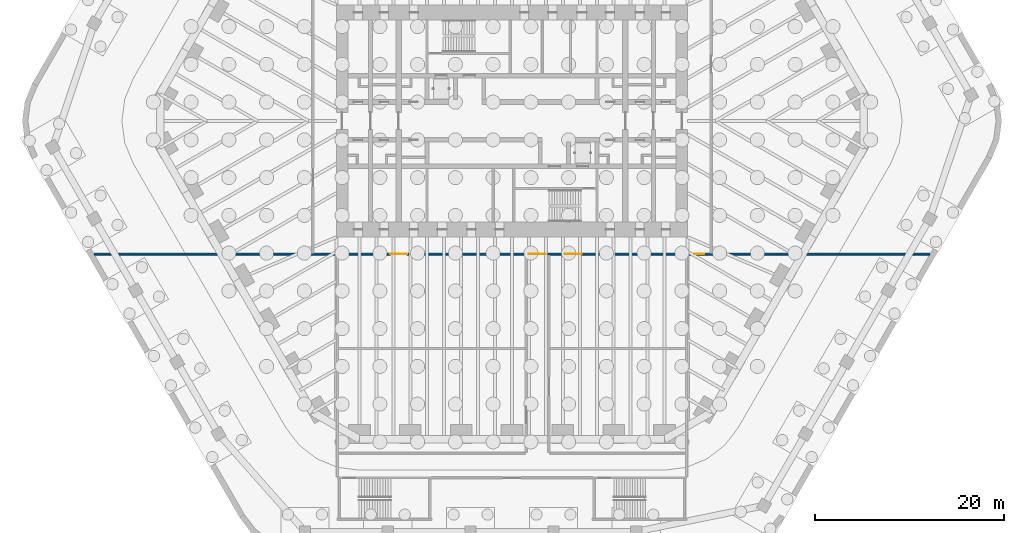
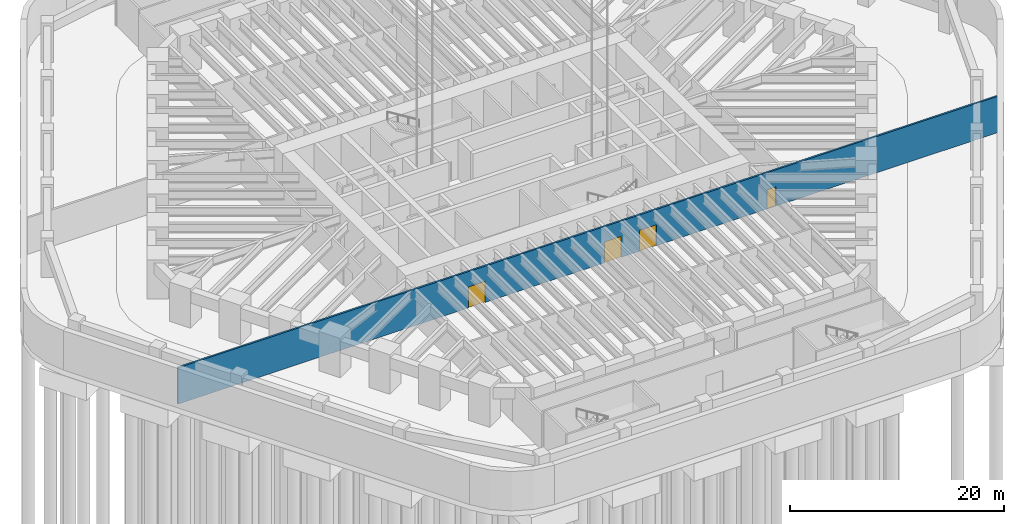
# One storey, part 7 of 17: 4 doors, 1 wall, 4 openings.
"""IFC4 building model written with IfcOpenShell, lengths in metres."""

from ifc_helpers import new_model, si_unit, direction, frame, frame_2d, origin, place, context, subcontext, project, spatial, rectangle, extrude, material, layer, layer_set, type_object, element, fill, save


model = new_model("IFC4")

# Units and contexts
model_context = context("Model", 3, precision=1e-05, world=origin(), true_north=direction((0.0, 1.0)))
body_context = subcontext(model_context, "Body", "Model", "MODEL_VIEW")
ifc_project = project(units=[si_unit("LENGTHUNIT", "METRE"), si_unit("AREAUNIT", "SQUARE_METRE"), si_unit("VOLUMEUNIT", "CUBIC_METRE"), si_unit("PLANEANGLEUNIT", "RADIAN"), si_unit("MASSUNIT", "GRAM", prefix="KILO")], contexts=[model_context])

# Site, building, storey
site_placement = place(None, origin())
site = spatial("IfcSite", under=ifc_project, at=site_placement, CompositionType="ELEMENT")
building_placement = place(site_placement, origin())
building = spatial("IfcBuilding", under=site, at=building_placement, Name="Tarfa Lantern Tower", CompositionType="ELEMENT")
storey_placement = place(building_placement, frame((0.0, 0.0, -9.0)))
storey = spatial("IfcBuildingStorey", under=building, at=storey_placement, Name="B2", CompositionType="ELEMENT", Elevation=-9.0)

# Wall, openings, doors
ifc_material_1 = material(Name="Concrete blockwork", Category="masonry")
ifc_layer = layer(ifc_material_1, 0.199951171875)
ifc_layer_set = layer_set([ifc_layer], Name="IW1 BLOCKWORK PARTITION 200 EI 120")
wall_type = type_object("IfcWallType", Name="IW1 BLOCKWORK PARTITION 200 EI 120", PredefinedType="PARTITIONING", material=ifc_layer_set)
wall_placement = place(storey_placement, frame((-44.28271484375, -14.10009765625, 0.0), z_axis=(0.0, 0.0, 1.0), x_axis=(1.0, 0.0, 0.0)))
wall = element("IfcWall", 1, at=wall_placement, inside=storey, type_object=wall_type, Name="Fire-rated partition", PredefinedType="PARTITIONING", context=body_context, shape_type="SweptSolid", body=[
    extrude(rectangle(XDim=88.5654296875, YDim=0.199951171875, at=frame_2d((44.28271484375, 0.0))), origin(), (0.0, 0.0, 1.0), 4.14990234375),
])
opening_1_placement = place(wall_placement, frame((31.3828125, 0.0, 0.0)))
opening_1 = element("IfcOpeningElement", 2, at=opening_1_placement, cuts=wall, Name="Opening D58", PredefinedType="OPENING", context=body_context, shape_type="SweptSolid", body=[
    extrude(rectangle(XDim=1.800048828125, YDim=2.39990234375, at=frame_2d((0.89990234375, 1.199951171875))), frame((0.0, 0.10986328125, 0.0), z_axis=(0.0, -1.0, 0.0), x_axis=(1.0, 0.0, 0.0)), (0.0, 0.0, 1.0), 0.219970703125),
])
opening_2_placement = place(wall_placement, frame((49.8828125, 0.0, 0.0)))
opening_2 = element("IfcOpeningElement", 3, at=opening_2_placement, cuts=wall, Name="Opening D56", PredefinedType="OPENING", context=body_context, shape_type="SweptSolid", body=[
    extrude(rectangle(XDim=1.800048828125, YDim=2.39990234375, at=frame_2d((0.89990234375, 1.199951171875))), frame((0.0, 0.10986328125, 0.0), z_axis=(0.0, -1.0, 0.0), x_axis=(1.0, 0.0, 0.0)), (0.0, 0.0, 1.0), 0.219970703125),
])
opening_3_placement = place(wall_placement, frame((46.082763671875, 0.0, 0.0)))
opening_3 = element("IfcOpeningElement", 4, at=opening_3_placement, cuts=wall, Name="Opening D60", PredefinedType="OPENING", context=body_context, shape_type="SweptSolid", body=[
    extrude(rectangle(XDim=1.800048828125, YDim=2.39990234375, at=frame_2d((0.89990234375, 1.199951171875))), frame((0.0, 0.10986328125, 0.0), z_axis=(0.0, -1.0, 0.0), x_axis=(1.0, 0.0, 0.0)), (0.0, 0.0, 1.0), 0.219970703125),
])
opening_4_placement = place(wall_placement, frame((63.6328125, 0.0, 0.0)))
opening_4 = element("IfcOpeningElement", 5, at=opening_4_placement, cuts=wall, Name="Opening D48", PredefinedType="OPENING", context=body_context, shape_type="SweptSolid", body=[
    extrude(rectangle(XDim=1.0, YDim=2.199951171875, at=frame_2d((0.5, 1.10009765625))), frame((0.0, 0.10986328125, 0.0), z_axis=(0.0, -1.0, 0.0), x_axis=(1.0, 0.0, 0.0)), (0.0, 0.0, 1.0), 0.219970703125),
])
ifc_material_2 = material(Name="Steel fire door", Category="steel")
door_type_1 = type_object("IfcDoorType", Name="DF7 FIRE DOOR 1800x2400", OperationType="DOUBLE_DOOR_SINGLE_SWING", PredefinedType="DOOR", material=ifc_material_2)
door_1_placement = place(opening_1_placement, frame((1.800048828125, 0.0, 0.0), z_axis=(0.0, 0.0, 1.0), x_axis=(-1.0, 0.0, 0.0)))
door_1 = element("IfcDoor", 6, at=door_1_placement, inside=storey, type_object=door_type_1, Name="Water tank room door", OperationType="DOUBLE_DOOR_SINGLE_SWING", OverallHeight=2.39990234375, OverallWidth=1.800048828125, PredefinedType="DOOR", context=body_context, shape_type="SweptSolid", body=[
    extrude(rectangle(XDim=1.800048828125, YDim=2.39990234375, at=frame_2d((0.89990234375, 1.199951171875))), frame((0.0, 0.02490234375, 0.0), z_axis=(0.0, -1.0, 0.0), x_axis=(1.0, 0.0, 0.0)), (0.0, 0.0, 1.0), 0.050048828125),
])
fill(opening_1, door_1)
door_2_placement = place(opening_2_placement, frame((1.800048828125, 0.0, 0.0), z_axis=(0.0, 0.0, 1.0), x_axis=(-1.0, 0.0, 0.0)))
door_2 = element("IfcDoor", 7, at=door_2_placement, inside=storey, type_object=door_type_1, Name="District cooling transfer station door", OperationType="DOUBLE_DOOR_SINGLE_SWING", OverallHeight=2.39990234375, OverallWidth=1.800048828125, PredefinedType="DOOR", context=body_context, shape_type="SweptSolid", body=[
    extrude(rectangle(XDim=1.800048828125, YDim=2.39990234375, at=frame_2d((0.89990234375, 1.199951171875))), frame((0.0, 0.02490234375, 0.0), z_axis=(0.0, -1.0, 0.0), x_axis=(1.0, 0.0, 0.0)), (0.0, 0.0, 1.0), 0.050048828125),
])
fill(opening_2, door_2)
door_3_placement = place(opening_3_placement, origin())
door_3 = element("IfcDoor", 8, at=door_3_placement, inside=storey, type_object=door_type_1, Name="Corridor door", OperationType="DOUBLE_DOOR_SINGLE_SWING", OverallHeight=2.39990234375, OverallWidth=1.800048828125, PredefinedType="DOOR", context=body_context, shape_type="SweptSolid", body=[
    extrude(rectangle(XDim=1.800048828125, YDim=2.39990234375, at=frame_2d((0.89990234375, 1.199951171875))), frame((0.0, 0.02490234375, 0.0), z_axis=(0.0, -1.0, 0.0), x_axis=(1.0, 0.0, 0.0)), (0.0, 0.0, 1.0), 0.050048828125),
])
fill(opening_3, door_3)
door_type_2 = type_object("IfcDoorType", Name="DF8 FIRE DOOR 1000x2200", OperationType="SINGLE_SWING_LEFT", PredefinedType="DOOR", material=ifc_material_2)
door_4_placement = place(opening_4_placement, frame((1.0, 0.0, 0.0), z_axis=(0.0, 0.0, 1.0), x_axis=(-1.0, 0.0, 0.0)))
door_4 = element("IfcDoor", 9, at=door_4_placement, inside=storey, type_object=door_type_2, Name="Plant room door", OperationType="SINGLE_SWING_LEFT", OverallHeight=2.199951171875, OverallWidth=1.0, PredefinedType="DOOR", context=body_context, shape_type="SweptSolid", body=[
    extrude(rectangle(XDim=1.0, YDim=2.199951171875, at=frame_2d((0.5, 1.10009765625))), frame((0.0, 0.02490234375, 0.0), z_axis=(0.0, -1.0, 0.0), x_axis=(1.0, 0.0, 0.0)), (0.0, 0.0, 1.0), 0.050048828125),
])
fill(opening_4, door_4)

save(model, "model.ifc")
